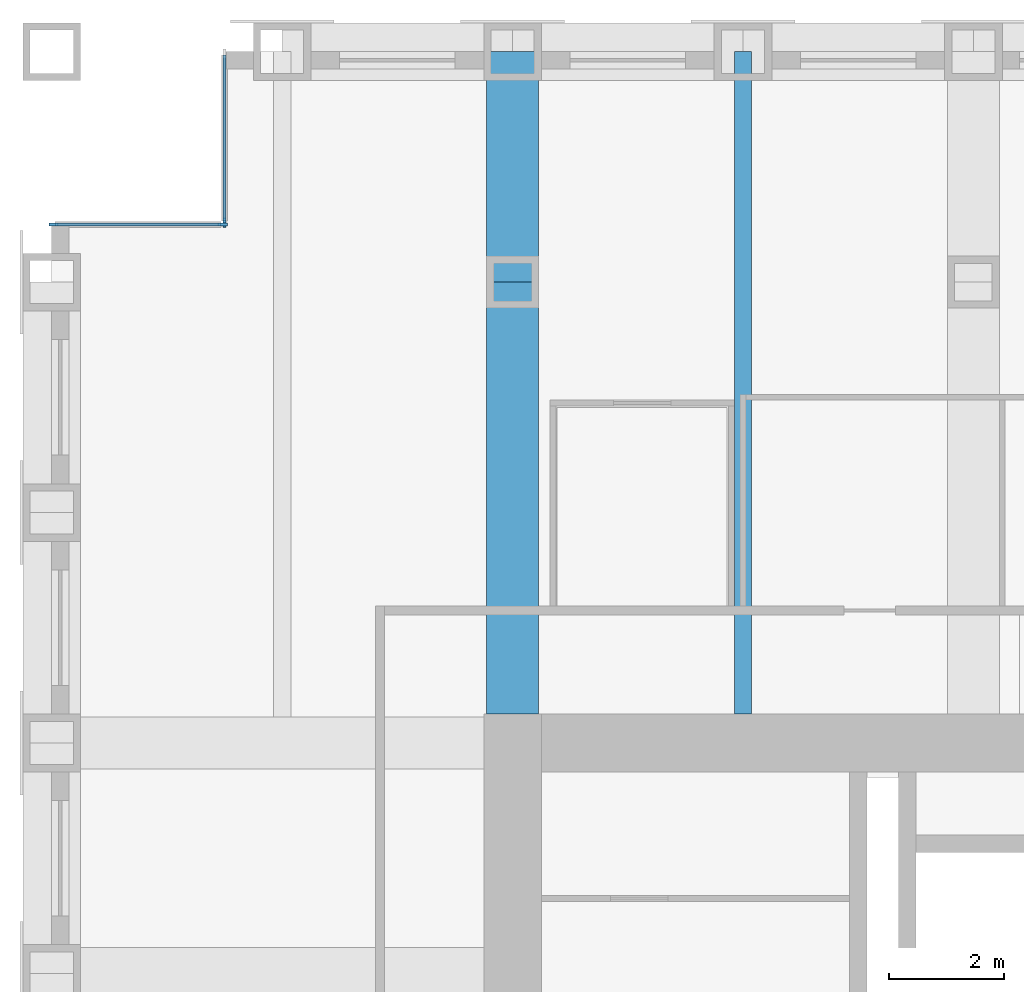
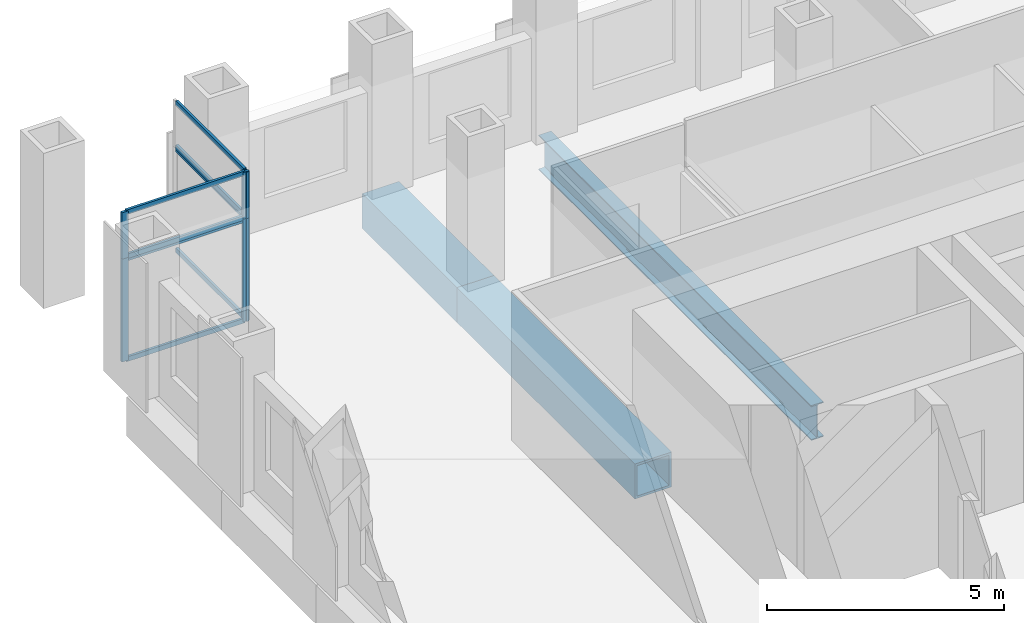
# One storey, part 6 of 17: 14 members, 3 beams, 4 elements without a shape of their own.
"""IFC4 building model written with IfcOpenShell, lengths in metres."""

from ifc_helpers import new_model, si_unit, direction, frame, origin, origin_2d, place, context, subcontext, project, spatial, rectangle, hollow_rectangle, i_section, extrude, material, material_profile, profile_set, type_object, element, aggregate, save


model = new_model("IFC4")

# Units and contexts
model_context = context("Model", 3, precision=1e-05, world=origin(), true_north=direction((0.0, 1.0)))
body_context = subcontext(model_context, "Body", "Model", "MODEL_VIEW")
ifc_project = project(units=[si_unit("LENGTHUNIT", "METRE"), si_unit("AREAUNIT", "SQUARE_METRE"), si_unit("VOLUMEUNIT", "CUBIC_METRE"), si_unit("PLANEANGLEUNIT", "RADIAN"), si_unit("MASSUNIT", "GRAM", prefix="KILO")], contexts=[model_context])

# Site, building, storey
site_placement = place(None, origin())
site = spatial("IfcSite", under=ifc_project, at=site_placement, CompositionType="ELEMENT")
building_placement = place(site_placement, origin())
building = spatial("IfcBuilding", under=site, at=building_placement, Name="Rimbunsela Tower", CompositionType="ELEMENT")
storey_placement = place(building_placement, frame((0.0, 0.0, 101.39990234375)))
storey = spatial("IfcBuildingStorey", under=building, at=storey_placement, Name="L24", CompositionType="ELEMENT", Elevation=101.39990234375)

# Beams
ifc_material_1 = material(Name="Steel BJ 55 (fy 410 MPa)", Category="steel")
ifc_material_profile_1 = material_profile(ifc_material_1, hollow_rectangle(XDim=0.89990234375, YDim=0.89990234375, WallThickness=0.06005859375, at=origin_2d()), Name="BOX 900x900x60")
ifc_profile_set_1 = profile_set([ifc_material_profile_1], Name="Steel BJ 55 (fy 410 MPa)")
beam_type_1 = type_object("IfcBeamType", Name="Beam BOX 900x900x60", PredefinedType="BEAM", material=ifc_profile_set_1)
beam_1_placement = place(storey_placement, frame((18.0, 36.5, -0.599853515625), z_axis=(0.0, 1.0, 0.0), x_axis=(-1.0, 0.0, 0.0)))
element("IfcBeam", 1, at=beam_1_placement, inside=storey, type_object=beam_type_1, Name="Beam B1 L24", PredefinedType="BEAM", context=body_context, shape_type="SweptSolid", body=[
    extrude(hollow_rectangle(XDim=0.89990234375, YDim=0.89990234375, WallThickness=0.06005859375, at=origin_2d()), origin(), (0.0, 0.0, 1.0), 7.5),
])
beam_2_placement = place(storey_placement, frame((18.0, 44.0, -0.599853515625), z_axis=(0.0, 1.0, 0.0), x_axis=(-1.0, 0.0, 0.0)))
element("IfcBeam", 2, at=beam_2_placement, inside=storey, type_object=beam_type_1, Name="Beam B1 L24", PredefinedType="BEAM", context=body_context, shape_type="SweptSolid", body=[
    extrude(hollow_rectangle(XDim=0.89990234375, YDim=0.89990234375, WallThickness=0.06005859375, at=origin_2d()), origin(), (0.0, 0.0, 1.0), 4.0),
])
ifc_material_2 = material(Name="Steel BJ 55 (fy 410 MPa)", Category="steel")
ifc_material_profile_2 = material_profile(ifc_material_2, i_section(OverallWidth=0.300048828125, OverallDepth=0.89990234375, WebThickness=0.01611328125, FlangeThickness=0.028076171875, FilletRadius=0.028076171875, at=origin_2d()), Name="H 900x300x16x28")
ifc_profile_set_2 = profile_set([ifc_material_profile_2], Name="Steel BJ 55 (fy 410 MPa)")
beam_type_2 = type_object("IfcBeamType", Name="Beam H 900x300x16x28", PredefinedType="BEAM", material=ifc_profile_set_2)
beam_3_placement = place(storey_placement, frame((22.0, 36.5, -0.599853515625), z_axis=(0.0, 1.0, 0.0), x_axis=(-1.0, 0.0, 0.0)))
element("IfcBeam", 3, at=beam_3_placement, inside=storey, type_object=beam_type_2, Name="Beam B2 L24", PredefinedType="BEAM", context=body_context, shape_type="SweptSolid", body=[
    extrude(i_section(OverallWidth=0.300048828125, OverallDepth=0.89990234375, WebThickness=0.01611328125, FlangeThickness=0.028076171875, FilletRadius=0.028076171875, at=origin_2d()), origin(), (0.0, 0.0, 1.0), 11.5),
])

# Curtain wall, member
ifc_material_3 = material(Name="Aluminium curtain wall", Category="aluminium")
curtain_wall_type_1 = type_object("IfcCurtainWallType", Name="Corner glazing", PredefinedType="USERDEFINED", material=ifc_material_3)
curtain_wall_1_placement = place(storey_placement, origin())
curtain_wall_1 = element("IfcCurtainWall", 4, at=curtain_wall_1_placement, inside=storey, type_object=curtain_wall_type_1, Name="Corner glazing L24", ObjectType="CORNER GLAZING", PredefinedType="USERDEFINED")
ifc_material_4 = material(Name="Aluminium mullion", Category="aluminium")
ifc_material_profile_3 = material_profile(ifc_material_4, rectangle(XDim=0.06005859375, YDim=0.159912109375, at=origin_2d()), Name="Mullion 60x160")
ifc_profile_set_3 = profile_set([ifc_material_profile_3], Name="Aluminium mullion")
member_type_1 = type_object("IfcMemberType", Name="Curtain wall mullion 60x160", PredefinedType="MULLION", material=ifc_profile_set_3)
member_1_placement = place(storey_placement, frame((13.0, 45.030029296875, 0.0), z_axis=(0.0, 0.0, 1.0), x_axis=(1.0, 0.0, 0.0)))
member_1 = element("IfcMember", 5, at=member_1_placement, type_object=member_type_1, Name="CW5 mullion 2", PredefinedType="MULLION", context=body_context, shape_type="SweptSolid", body=[
    extrude(rectangle(XDim=0.06005859375, YDim=0.159912109375, at=origin_2d()), origin(), (0.0, 0.0, 1.0), 2.650146484375),
])

ifc_material_5 = material(Name="Aluminium curtain wall", Category="aluminium")
curtain_wall_type_2 = type_object("IfcCurtainWallType", Name="Spandrel wall", PredefinedType="USERDEFINED", material=ifc_material_5)
curtain_wall_2_placement = place(storey_placement, origin())
curtain_wall_2 = element("IfcCurtainWall", 6, at=curtain_wall_2_placement, inside=storey, type_object=curtain_wall_type_2, Name="Spandrel wall L24", ObjectType="SPANDREL WALL", PredefinedType="USERDEFINED")
member_2_placement = place(storey_placement, frame((13.0, 45.030029296875, 2.650146484375), z_axis=(0.0, 0.0, 1.0), x_axis=(1.0, 0.0, 0.0)))
member_2 = element("IfcMember", 7, at=member_2_placement, type_object=member_type_1, Name="CW7 mullion 2", PredefinedType="MULLION", context=body_context, shape_type="SweptSolid", body=[
    extrude(rectangle(XDim=0.06005859375, YDim=0.159912109375, at=origin_2d()), origin(), (0.0, 0.0, 1.0), 1.199951171875),
])

# Curtain wall, members
curtain_wall_3_placement = place(storey_placement, origin())
curtain_wall_3 = element("IfcCurtainWall", 8, at=curtain_wall_3_placement, inside=storey, type_object=curtain_wall_type_1, Name="Corner glazing L24", ObjectType="CORNER GLAZING", PredefinedType="USERDEFINED")
member_3_placement = place(storey_placement, frame((12.969970703125, 45.0, 0.0), z_axis=(0.0, 0.0, 1.0), x_axis=(0.0, -1.0, 0.0)))
member_3 = element("IfcMember", 9, at=member_3_placement, type_object=member_type_1, Name="CW5 mullion 1", PredefinedType="MULLION", context=body_context, shape_type="SweptSolid", body=[
    extrude(rectangle(XDim=0.06005859375, YDim=0.159912109375, at=origin_2d()), origin(), (0.0, 0.0, 1.0), 2.650146484375),
])
member_4_placement = place(storey_placement, frame((10.030029296875, 45.0, 0.0), z_axis=(0.0, 0.0, 1.0), x_axis=(0.0, -1.0, 0.0)))
member_4 = element("IfcMember", 10, at=member_4_placement, type_object=member_type_1, Name="CW5 mullion 2", PredefinedType="MULLION", context=body_context, shape_type="SweptSolid", body=[
    extrude(rectangle(XDim=0.06005859375, YDim=0.159912109375, at=origin_2d()), origin(), (0.0, 0.0, 1.0), 2.650146484375),
])

curtain_wall_4_placement = place(storey_placement, origin())
curtain_wall_4 = element("IfcCurtainWall", 11, at=curtain_wall_4_placement, inside=storey, type_object=curtain_wall_type_2, Name="Spandrel wall L24", ObjectType="SPANDREL WALL", PredefinedType="USERDEFINED")
member_5_placement = place(storey_placement, frame((12.969970703125, 45.0, 2.650146484375), z_axis=(0.0, 0.0, 1.0), x_axis=(0.0, -1.0, 0.0)))
member_5 = element("IfcMember", 12, at=member_5_placement, type_object=member_type_1, Name="CW7 mullion 1", PredefinedType="MULLION", context=body_context, shape_type="SweptSolid", body=[
    extrude(rectangle(XDim=0.06005859375, YDim=0.159912109375, at=origin_2d()), origin(), (0.0, 0.0, 1.0), 1.199951171875),
])
member_6_placement = place(storey_placement, frame((10.030029296875, 45.0, 2.650146484375), z_axis=(0.0, 0.0, 1.0), x_axis=(0.0, -1.0, 0.0)))
member_6 = element("IfcMember", 13, at=member_6_placement, type_object=member_type_1, Name="CW7 mullion 2", PredefinedType="MULLION", context=body_context, shape_type="SweptSolid", body=[
    extrude(rectangle(XDim=0.06005859375, YDim=0.159912109375, at=origin_2d()), origin(), (0.0, 0.0, 1.0), 1.199951171875),
])

# Member
ifc_material_6 = material(Name="Aluminium transom", Category="aluminium")
ifc_material_profile_4 = material_profile(ifc_material_6, rectangle(XDim=0.06005859375, YDim=0.1201171875, at=origin_2d()), Name="Transom 60x120")
ifc_profile_set_4 = profile_set([ifc_material_profile_4], Name="Aluminium transom")
member_type_2 = type_object("IfcMemberType", Name="Curtain wall transom 60x120", PredefinedType="USERDEFINED", material=ifc_profile_set_4)
member_7_placement = place(storey_placement, frame((13.0, 47.93994140625, 0.030029296875), z_axis=(0.0, -1.0, 0.0), x_axis=(1.0, 0.0, 0.0)))
member_7 = element("IfcMember", 14, at=member_7_placement, type_object=member_type_2, Name="CW5 transom 1.1", ObjectType="TRANSOM", PredefinedType="USERDEFINED", context=body_context, shape_type="SweptSolid", body=[
    extrude(rectangle(XDim=0.06005859375, YDim=0.1201171875, at=origin_2d()), origin(), (0.0, 0.0, 1.0), 2.8798828125),
])

member_8_placement = place(storey_placement, frame((13.0, 47.93994140625, 2.6201171875), z_axis=(0.0, -1.0, 0.0), x_axis=(1.0, 0.0, 0.0)))
member_8 = element("IfcMember", 15, at=member_8_placement, type_object=member_type_2, Name="CW5 transom 1.2", ObjectType="TRANSOM", PredefinedType="USERDEFINED", context=body_context, shape_type="SweptSolid", body=[
    extrude(rectangle(XDim=0.06005859375, YDim=0.1201171875, at=origin_2d()), origin(), (0.0, 0.0, 1.0), 2.8798828125),
])

aggregate(curtain_wall_1, [member_1, member_7, member_8])

member_9_placement = place(storey_placement, frame((13.0, 47.93994140625, 2.68017578125), z_axis=(0.0, -1.0, 0.0), x_axis=(1.0, 0.0, 0.0)))
member_9 = element("IfcMember", 16, at=member_9_placement, type_object=member_type_2, Name="CW7 transom 1.1", ObjectType="TRANSOM", PredefinedType="USERDEFINED", context=body_context, shape_type="SweptSolid", body=[
    extrude(rectangle(XDim=0.06005859375, YDim=0.1201171875, at=origin_2d()), origin(), (0.0, 0.0, 1.0), 2.8798828125),
])

member_10_placement = place(storey_placement, frame((13.0, 47.93994140625, 3.820068359375), z_axis=(0.0, -1.0, 0.0), x_axis=(1.0, 0.0, 0.0)))
member_10 = element("IfcMember", 17, at=member_10_placement, type_object=member_type_2, Name="CW7 transom 1.2", ObjectType="TRANSOM", PredefinedType="USERDEFINED", context=body_context, shape_type="SweptSolid", body=[
    extrude(rectangle(XDim=0.06005859375, YDim=0.1201171875, at=origin_2d()), origin(), (0.0, 0.0, 1.0), 2.8798828125),
])

aggregate(curtain_wall_2, [member_2, member_9, member_10])

member_11_placement = place(storey_placement, frame((12.93994140625, 45.0, 0.030029296875), z_axis=(-1.0, 0.0, 0.0), x_axis=(0.0, -1.0, 0.0)))
member_11 = element("IfcMember", 18, at=member_11_placement, type_object=member_type_2, Name="CW5 transom 1.1", ObjectType="TRANSOM", PredefinedType="USERDEFINED", context=body_context, shape_type="SweptSolid", body=[
    extrude(rectangle(XDim=0.06005859375, YDim=0.1201171875, at=origin_2d()), origin(), (0.0, 0.0, 1.0), 2.8798828125),
])

member_12_placement = place(storey_placement, frame((12.93994140625, 45.0, 2.6201171875), z_axis=(-1.0, 0.0, 0.0), x_axis=(0.0, -1.0, 0.0)))
member_12 = element("IfcMember", 19, at=member_12_placement, type_object=member_type_2, Name="CW5 transom 1.2", ObjectType="TRANSOM", PredefinedType="USERDEFINED", context=body_context, shape_type="SweptSolid", body=[
    extrude(rectangle(XDim=0.06005859375, YDim=0.1201171875, at=origin_2d()), origin(), (0.0, 0.0, 1.0), 2.8798828125),
])

aggregate(curtain_wall_3, [member_3, member_4, member_11, member_12])

member_13_placement = place(storey_placement, frame((12.93994140625, 45.0, 2.68017578125), z_axis=(-1.0, 0.0, 0.0), x_axis=(0.0, -1.0, 0.0)))
member_13 = element("IfcMember", 20, at=member_13_placement, type_object=member_type_2, Name="CW7 transom 1.1", ObjectType="TRANSOM", PredefinedType="USERDEFINED", context=body_context, shape_type="SweptSolid", body=[
    extrude(rectangle(XDim=0.06005859375, YDim=0.1201171875, at=origin_2d()), origin(), (0.0, 0.0, 1.0), 2.8798828125),
])

member_14_placement = place(storey_placement, frame((12.93994140625, 45.0, 3.820068359375), z_axis=(-1.0, 0.0, 0.0), x_axis=(0.0, -1.0, 0.0)))
member_14 = element("IfcMember", 21, at=member_14_placement, type_object=member_type_2, Name="CW7 transom 1.2", ObjectType="TRANSOM", PredefinedType="USERDEFINED", context=body_context, shape_type="SweptSolid", body=[
    extrude(rectangle(XDim=0.06005859375, YDim=0.1201171875, at=origin_2d()), origin(), (0.0, 0.0, 1.0), 2.8798828125),
])

aggregate(curtain_wall_4, [member_5, member_6, member_13, member_14])

save(model, "model.ifc")
